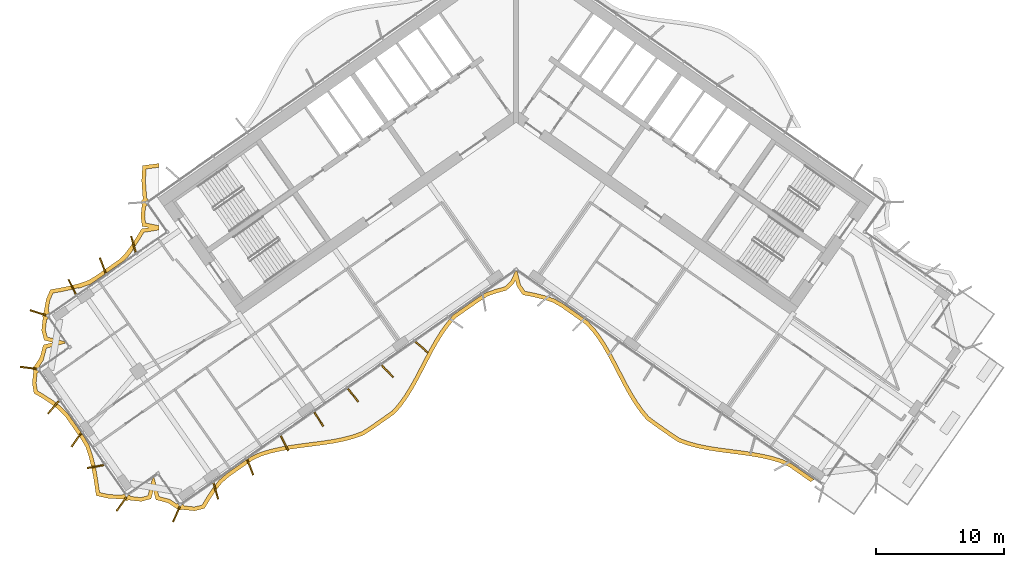
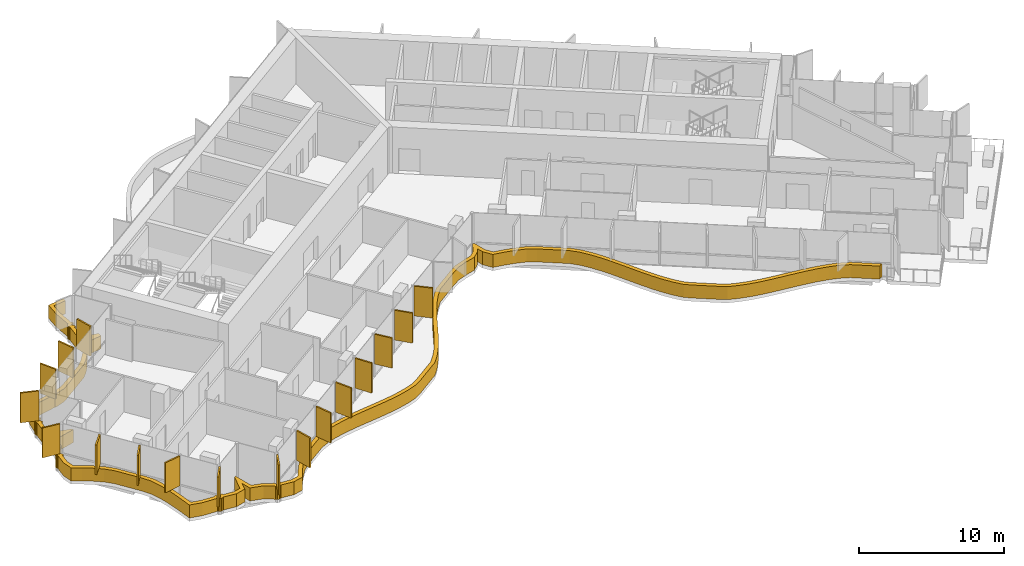
# One storey, part 18 of 23: 18 shading devices.
"""IFC4 building model written with IfcOpenShell, lengths in metres."""

from ifc_helpers import new_model, si_unit, direction, frame, origin, origin_2d, place, context, subcontext, project, spatial, polyline, rectangle, outline, extrude, material, layer, layer_set, type_object, element, save


model = new_model("IFC4")

# Units and contexts
model_context = context("Model", 3, precision=1e-05, world=origin(), true_north=direction((0.0, 1.0)))
body_context = subcontext(model_context, "Body", "Model", "MODEL_VIEW")
ifc_project = project(units=[si_unit("LENGTHUNIT", "METRE"), si_unit("AREAUNIT", "SQUARE_METRE"), si_unit("VOLUMEUNIT", "CUBIC_METRE"), si_unit("PLANEANGLEUNIT", "RADIAN"), si_unit("MASSUNIT", "GRAM", prefix="KILO")], contexts=[model_context])

# Site, building, storey
site_placement = place(None, origin())
site = spatial("IfcSite", under=ifc_project, at=site_placement, CompositionType="ELEMENT")
building_placement = place(site_placement, origin())
building = spatial("IfcBuilding", under=site, at=building_placement, Name="Tel Ilan Convention Tower", CompositionType="ELEMENT")
storey_placement = place(building_placement, frame((0.0, 0.0, 190.5)))
storey = spatial("IfcBuildingStorey", under=building, at=storey_placement, Name="L44", CompositionType="ELEMENT", Elevation=190.5)

# Shading devices
ifc_material_1 = material(Name="Aluminium, bronze anodised", Category="aluminium")
ifc_layer_1 = layer(ifc_material_1, 0.1201171875)
ifc_layer_set_1 = layer_set([ifc_layer_1], Name="FIN BRONZE 1300x120")
shading_device_type_1 = type_object("IfcShadingDeviceType", Name="FIN BRONZE 1300x120", PredefinedType="USERDEFINED", material=ifc_layer_set_1)
for number, where, z_axis, x_axis, name in (
    (1, (-29.872802734375, -10.7451171875, 1.10009765625), (0.0, 0.0, 1.0), (-0.268172612768, 0.963370878614, 0.0), "FIN"),
    (2, (-32.26416015625, -12.404296875, 1.10009765625), (0.0, 0.0, 1.0), (-0.360177724803, 0.932883704733, 0.0), "FIN"),
    (3, (-34.653076171875, -14.069091796875, 1.10009765625), (0.0, 0.0, 1.0), (-0.448799180206, 0.893632640321, 0.0), "FIN"),
    (4, (-37.316162109375, -16.08544921875, 1.10009765625), (0.0, 0.0, 1.0), (-0.949242643575, 0.314544756146, 0.0), "FIN"),
    (5, (-38.074951171875, -20.387451171875, 1.10009765625), (0.0, 0.0, 1.0), (-0.992066016082, 0.125718016748, 0.0), "FIN"),
    (6, (-36.1171875, -23.4658203125, 1.10009765625), (0.0, 0.0, 1.0), (-0.657521368568, -0.753435896329, 0.0), "FIN"),
    (7, (-34.322998046875, -26.00634765625, 1.10009765625), (0.0, 0.0, 1.0), (-0.581492071294, -0.813552070258, 0.0), "FIN"),
    (8, (-32.840087890625, -28.092041015625, 1.10009765625), (0.0, 0.0, 1.0), (-0.984807753012, -0.173648177667, 0.0), "FIN"),
    (9, (-30.807373046875, -31.020263671875, 1.10009765625), (0.0, 0.0, 1.0), (-0.573576436351, -0.819152044289, 0.0), "FIN"),
    (10, (-26.517578125, -31.80810546875, 1.10009765625), (0.0, 0.0, 1.0), (-0.404964282034, -0.914332505315, 0.0), "FIN"),
    (11, (-23.44140625, -30.00390625, 1.10009765625), (0.0, 0.0, 1.0), (0.268172612768, -0.963370878614, 0.0), "FIN"),
    (12, (-20.759521484375, -28.141357421875, 1.10009765625), (0.0, 0.0, 1.0), (0.360177724803, -0.932883704733, 0.0), "FIN"),
    (13, (-18.080078125, -26.27294921875, 1.10009765625), (0.0, 0.0, 1.0), (0.448799180206, -0.893632640321, 0.0), "FIN"),
    (14, (-15.4033203125, -24.399169921875, 1.10009765625), (0.0, 0.0, 1.0), (0.533204432798, -0.845986425922, 0.0), "FIN"),
    (15, (-12.7265625, -22.52490234375, 1.10009765625), (0.0, 0.0, 1.0), (0.612600545196, -0.790392669516, 0.0), "FIN"),
    (16, (-10.050048828125, -20.650390625, 1.10009765625), (0.0, 0.0, 1.0), (0.686241637865, -0.727373641577, 0.0), "FIN"),
    (17, (-7.3779296875, -18.771484375, 1.10009765625), (0.0, 0.0, 1.0), (0.753435896329, -0.657521368568, 0.0), "FIN"),
):
    element("IfcShadingDevice", number, at=place(storey_placement, frame(where, z_axis=z_axis, x_axis=x_axis)), inside=storey, type_object=shading_device_type_1, Name=name, ObjectType="FIN", PredefinedType="USERDEFINED", context=body_context, shape_type="SweptSolid", body=[
        extrude(rectangle(XDim=1.300048828125, YDim=0.1201171875, at=origin_2d()), origin(), (0.0, 0.0, 1.0), 2.52001953125),
    ])
ifc_material_2 = material(Name="Aluminium, bronze anodised", Category="aluminium")
ifc_layer_2 = layer(ifc_material_2, 0.300048828125)
ifc_layer_set_2 = layer_set([ifc_layer_2], Name="LOUVRE BAND 300x1100")
shading_device_type_2 = type_object("IfcShadingDeviceType", Name="LOUVRE BAND 300x1100", PredefinedType="USERDEFINED", material=ifc_layer_set_2)
shading_device_placement = place(storey_placement, origin())
element("IfcShadingDevice", 18, at=shading_device_placement, inside=storey, type_object=shading_device_type_2, Name="LOUVRE BAND 34.02", ObjectType="LOUVRE", PredefinedType="USERDEFINED", context=body_context, shape_type="SweptSolid", body=[
    extrude(outline(polyline([(-37.76904296875, -21.58447265625), (-37.634765625, -22.36669921875), (-36.95703125, -22.768310546875), (-36.311767578125, -23.192626953125), (-35.712890625, -23.649169921875), (-35.203857421875, -24.1689453125), (-33.968994140625, -25.932373046875), (-33.60498046875, -26.5537109375), (-33.363525390625, -27.2607421875), (-33.17138671875, -28.002197265625), (-33.01904296875, -28.771728515625), (-32.89599609375, -29.5615234375), (-32.782958984375, -30.358642578125), (-31.836181640625, -30.571533203125), (-30.67138671875, -30.632080078125), (-30.642333984375, -30.67529296875), (-30.544921875, -30.740478515625), (-30.43017578125, -30.76318359375), (-30.3154296875, -30.740478515625), (-30.261474609375, -30.704345703125), (-29.26904296875, -30.81396484375), (-28.4951171875, -30.611572265625), (-28.31640625, -29.930908203125), (-28.12109375, -30.677734375), (-27.170166015625, -30.92724609375), (-26.497802734375, -31.3720703125), (-26.4931640625, -31.368896484375), (-26.464111328125, -31.412109375), (-26.366943359375, -31.47705078125), (-26.251953125, -31.5), (-26.13720703125, -31.47705078125), (-26.083251953125, -31.441162109375), (-25.097412109375, -31.54931640625), (-24.322021484375, -31.357421875), (-23.90576171875, -30.652587890625), (-23.4609375, -29.988525390625), (-22.980224609375, -29.375732421875), (-22.4169921875, -28.880859375), (-20.58544921875, -27.598388671875), (-19.900146484375, -27.277587890625), (-19.150634765625, -27.048583984375), (-18.36669921875, -26.86865234375), (-17.556396484375, -26.726806640625), (-16.728515625, -26.609619140625), (-15.0595703125, -26.39404296875), (-14.239013671875, -26.266845703125), (-13.4404296875, -26.10791015625), (-12.672119140625, -25.90576171875), (-11.941650390625, -25.649658203125), (-11.30908203125, -25.253662109375), (-9.4775390625, -23.97119140625), (-8.9716796875, -23.39404296875), (-8.509033203125, -22.75537109375), (-8.0791015625, -22.0703125), (-7.673583984375, -21.35009765625), (-6.508056640625, -19.1162109375), (-6.103271484375, -18.39501953125), (-5.67431640625, -17.708251953125), (-5.213134765625, -17.067626953125), (-4.7119140625, -16.483642578125), (-2.88037109375, -15.201416015625), (-2.25146484375, -14.800048828125), (-1.5224609375, -14.5419921875), (-0.755615234375, -14.337890625), (-0.200439453125, -13.831298828125), (-0.0556640625, -13.532958984375), (0.067626953125, -14.029296875), (0.522216796875, -14.687255859375), (1.33154296875, -14.8388671875), (2.112060546875, -15.03173828125), (2.855712890625, -15.277099609375), (3.513916015625, -15.644775390625), (5.356689453125, -16.935302734375), (5.888671875, -17.48291015625), (6.36083984375, -18.1162109375), (6.798583984375, -18.798583984375), (7.2099609375, -19.5185546875), (7.6044921875, -20.262451171875), (8.38330078125, -21.765380859375), (8.7880859375, -22.494873046875), (9.2158203125, -23.191162109375), (9.675537109375, -23.84228515625), (10.174072265625, -24.437744140625), (10.778564453125, -24.882080078125), (12.007080078125, -25.742431640625), (12.631103515625, -26.15869140625), (13.361083984375, -26.423828125), (14.1298828125, -26.63330078125), (14.930419921875, -26.79736328125), (15.75439453125, -26.92822265625), (17.432861328125, -27.14599609375), (18.26708984375, -27.26220703125), (19.084228515625, -27.402587890625), (19.875244140625, -27.580322265625), (20.632080078125, -27.80712890625), (21.3291015625, -28.119140625), (23.009033203125, -29.29541015625), (23.060546875, -29.23681640625), (23.1376953125, -29.17626953125), (23.22509765625, -29.132080078125), (23.27490234375, -29.115478515625), (21.477783203125, -27.85693359375), (20.73681640625, -27.525390625), (19.951416015625, -27.2900390625), (19.142578125, -27.108154296875), (18.313232421875, -26.9658203125), (17.472412109375, -26.8486328125), (15.797607421875, -26.63134765625), (14.984130859375, -26.502197265625), (14.199462890625, -26.34130859375), (13.451904296875, -26.137451171875), (12.767578125, -25.88916015625), (12.176513671875, -25.494873046875), (10.953369140625, -24.638427734375), (10.380859375, -24.217529296875), (9.91357421875, -23.6591796875), (9.466552734375, -23.02587890625), (9.047119140625, -22.343505859375), (8.6474609375, -21.623291015625), (7.870361328125, -20.123779296875), (7.472900390625, -19.373779296875), (7.05517578125, -18.64306640625), (6.607666015625, -17.945556640625), (6.11767578125, -17.2880859375), (5.55224609375, -16.705810546875), (3.67333984375, -15.390380859375), (2.97705078125, -15.001220703125), (2.195068359375, -14.743408203125), (1.395263671875, -14.54541015625), (0.69873046875, -14.4150390625), (0.345458984375, -13.90380859375), (0.092041015625, -12.882568359375), (0.0, -12.818115234375), (-0.063720703125, -12.86279296875), (-0.445068359375, -13.6484375), (-0.903564453125, -14.06689453125), (-1.611328125, -14.255126953125), (-2.384033203125, -14.52880859375), (-3.04736328125, -14.951904296875), (-4.9150390625, -16.259765625), (-5.448974609375, -16.882080078125), (-5.923583984375, -17.541015625), (-6.361572265625, -18.241943359375), (-6.771728515625, -18.972900390625), (-7.93701171875, -21.20654296875), (-8.3369140625, -21.916748046875), (-8.7578125, -22.587646484375), (-9.20654296875, -23.206787109375), (-9.67919921875, -23.746337890625), (-11.474853515625, -25.00341796875), (-12.072509765625, -25.377685546875), (-12.760009765625, -25.61865234375), (-13.5078125, -25.8154296875), (-14.291259765625, -25.97119140625), (-15.102294921875, -26.09716796875), (-16.768310546875, -26.312255859375), (-17.603271484375, -26.430419921875), (-18.42626953125, -26.57470703125), (-19.22802734375, -26.7587890625), (-20.008056640625, -26.9970703125), (-20.736083984375, -27.337646484375), (-22.6025390625, -28.64453125), (-23.198974609375, -29.168701171875), (-23.7041015625, -29.81201171875), (-24.159912109375, -30.49267578125), (-24.516357421875, -31.096435546875), (-25.118408203125, -31.24560546875), (-25.91259765625, -31.161865234375), (-26.005859375, -31.028564453125), (-26.251953125, -31.199951171875), (-26.424072265625, -30.954345703125), (-26.502685546875, -31.00927734375), (-27.0458984375, -30.649658203125), (-27.875244140625, -30.43212890625), (-28.263916015625, -28.9462890625), (-28.3916015625, -29.035888671875), (-28.74072265625, -30.36572265625), (-29.2919921875, -30.510009765625), (-30.0908203125, -30.425048828125), (-30.18408203125, -30.291748046875), (-30.43017578125, -30.46337890625), (-30.602294921875, -30.217529296875), (-30.76318359375, -30.330078125), (-31.794677734375, -30.2734375), (-32.51513671875, -30.111328125), (-32.7236328125, -28.719482421875), (-32.878662109375, -27.935302734375), (-33.075927734375, -27.174560546875), (-33.330810546875, -26.427978515625), (-33.71630859375, -25.770263671875), (-34.97216796875, -23.9765625), (-35.513671875, -23.423828125), (-36.13818359375, -22.947509765625), (-36.798095703125, -22.513671875), (-37.362548828125, -22.17919921875), (-37.46630859375, -21.573974609375), (-37.388916015625, -20.80859375), (-37.255859375, -20.71533203125), (-37.427734375, -20.4697265625), (-37.1494140625, -20.274658203125), (-37.188720703125, -20.218505859375), (-36.844482421875, -19.6982421875), (-36.929931640625, -19.754638671875), (-36.877685546875, -19.675537109375), (-36.659912109375, -18.846435546875), (-35.17431640625, -18.457763671875), (-35.263671875, -18.330078125), (-36.59375, -17.98095703125), (-36.73779296875, -17.4296875), (-36.653076171875, -16.630859375), (-36.51904296875, -16.537109375), (-36.691162109375, -16.29150390625), (-36.41259765625, -16.096435546875), (-36.503662109375, -15.96630859375), (-36.46875, -15.76953125), (-36.51513671875, -15.802001953125), (-36.3974609375, -15.14111328125), (-36.1474609375, -14.54833984375), (-35.52734375, -14.443603515625), (-34.751953125, -14.28662109375), (-34.106689453125, -14.115478515625), (-34.187744140625, -14.178466796875), (-33.987060546875, -14.125244140625), (-33.241455078125, -13.865478515625), (-33.12548828125, -13.794921875), (-30.64501953125, -12.057861328125), (-30.258544921875, -11.6708984375), (-29.8720703125, -11.161376953125), (-29.87841796875, -11.15478515625), (-29.961181640625, -11.212890625), (-29.81787109375, -11.02392578125), (-29.38818359375, -10.3681640625), (-29.05712890625, -9.8115234375), (-27.874755859375, -9.6240234375), (-27.874755859375, -9.287353515625), (-28.923828125, -9.080322265625), (-28.992431640625, -8.5439453125), (-28.91943359375, -7.797607421875), (-28.787353515625, -7.705322265625), (-28.958740234375, -7.458984375), (-28.713134765625, -7.286865234375), (-28.83740234375, -7.109375), (-28.93115234375, -5.783447265625), (-28.876953125, -4.86572265625), (-27.874755859375, -4.735107421875), (-27.874755859375, -4.4326171875), (-29.161865234375, -4.60107421875), (-29.231689453125, -5.78515625), (-29.127685546875, -7.218017578125), (-29.1708984375, -7.246826171875), (-29.236083984375, -7.34423828125), (-29.2587890625, -7.458984375), (-29.236083984375, -7.57373046875), (-29.199951171875, -7.6279296875), (-29.29443359375, -8.548583984375), (-29.19384765625, -9.332763671875), (-28.64111328125, -9.44189453125), (-29.2431640625, -9.537353515625), (-29.642578125, -10.209228515625), (-30.06298828125, -10.850830078125), (-30.515380859375, -11.447021484375), (-31.02685546875, -11.958984375), (-32.777587890625, -13.18505859375), (-33.387451171875, -13.55615234375), (-34.086669921875, -13.7998046875), (-34.8203125, -13.994384765625), (-35.58203125, -14.148681640625), (-36.35986328125, -14.280029296875), (-36.686767578125, -15.055419921875), (-36.85986328125, -16.05029296875), (-36.9033203125, -16.079345703125), (-36.96826171875, -16.1767578125), (-36.9912109375, -16.29150390625), (-36.96826171875, -16.40625), (-36.93212890625, -16.460205078125), (-37.0419921875, -17.45263671875), (-36.839599609375, -18.2265625), (-36.15869140625, -18.4052734375), (-36.905517578125, -18.6005859375), (-37.1552734375, -19.551513671875), (-37.599853515625, -20.223876953125), (-37.5966796875, -20.228515625), (-37.639892578125, -20.257568359375), (-37.705078125, -20.354736328125), (-37.727783203125, -20.4697265625), (-37.705078125, -20.58447265625), (-37.6689453125, -20.638427734375), (-37.76904296875, -21.58447265625)])), origin(), (0.0, 0.0, 1.0), 1.10009765625),
])

save(model, "model.ifc")
